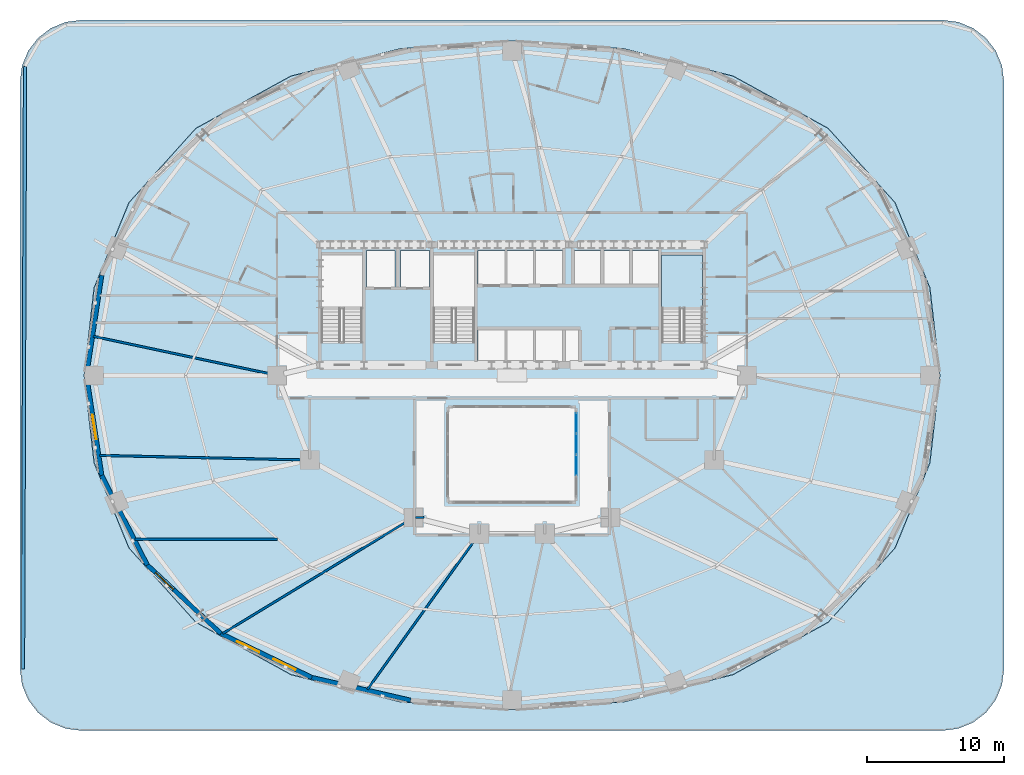
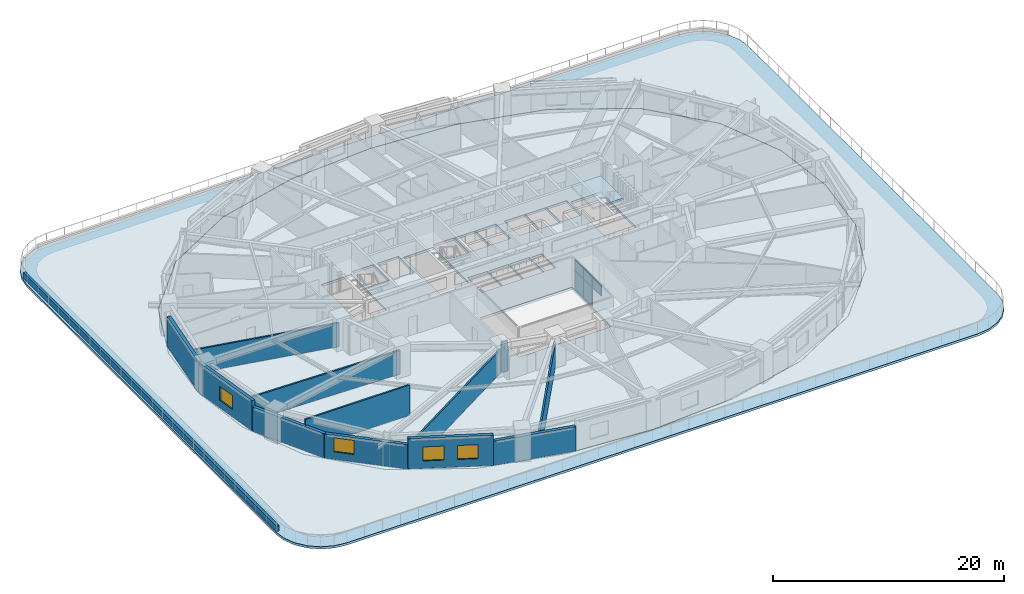
# One storey, part 7 of 18: 13 walls, 5 plates, 4 windows, 3 slabs, 4 openings, 2 elements without a shape of their own.
"""IFC4 building model written with IfcOpenShell, lengths in metres."""

from ifc_helpers import new_model, si_unit, direction, frame, frame_2d, origin, origin_2d, place, context, subcontext, project, spatial, polyline, rectangle, outline, extrude, material, layer, layer_set, type_object, element, fill, aggregate, save


model = new_model("IFC4")

# Units and contexts
model_context = context("Model", 3, precision=1e-05, world=origin(), true_north=direction((0.0, 1.0)))
body_context = subcontext(model_context, "Body", "Model", "MODEL_VIEW")
ifc_project = project(units=[si_unit("LENGTHUNIT", "METRE"), si_unit("AREAUNIT", "SQUARE_METRE"), si_unit("VOLUMEUNIT", "CUBIC_METRE"), si_unit("PLANEANGLEUNIT", "RADIAN"), si_unit("MASSUNIT", "GRAM", prefix="KILO")], contexts=[model_context])

# Site, building, storey
site_placement = place(None, origin())
site = spatial("IfcSite", under=ifc_project, at=site_placement, CompositionType="ELEMENT")
building_placement = place(site_placement, origin())
building = spatial("IfcBuilding", under=site, at=building_placement, Name="Haldorwick Loom Tower", CompositionType="ELEMENT")
storey_placement = place(building_placement, frame((0.0, 0.0, 24.0)))
storey = spatial("IfcBuildingStorey", under=building, at=storey_placement, Name="L05", CompositionType="ELEMENT", Elevation=24.0)

# Curtain wall, plates
ifc_material_1 = material(Name="Thermally Broken Anodized Aluminium Curtain Wall Framing", Category="aluminium")
curtain_wall_type = type_object("IfcCurtainWallType", Name="ARC-CW-03", PredefinedType="NOTDEFINED", material=ifc_material_1)
curtain_wall_placement = place(storey_placement, origin())
curtain_wall = element("IfcCurtainWall", 1, at=curtain_wall_placement, inside=storey, type_object=curtain_wall_type, Name="L05 Atrium Glazed Screen E", PredefinedType="NOTDEFINED")
ifc_material_2 = material(Name="Triple-Glazed Low-E Argon Insulated Glazing Unit", Category="glass")
ifc_layer_1 = layer(ifc_material_2, 0.04296875, Name="Triple-Glazed Low-E Argon Insulated Glazing Unit", Category="glass")
ifc_layer_set_1 = layer_set([ifc_layer_1], Name="Triple-Glazed Low-E Argon Insulated Glazing Unit")
plate_type = type_object("IfcPlateType", Name="ARC-CWP-03", PredefinedType="CURTAIN_PANEL", material=ifc_layer_set_1)
plate_1_placement = place(storey_placement, frame((40.699951171875, 22.508544921875, 0.066162109375), z_axis=(0.0, 0.0, 1.0), x_axis=(0.0, -1.0, 0.0)))
plate_1 = element("IfcPlate", 2, at=plate_1_placement, type_object=plate_type, Name="CW-03 panel 1.1", PredefinedType="CURTAIN_PANEL", context=body_context, shape_type="SweptSolid", body=[
    extrude(rectangle(XDim=1.450927734375, YDim=0.04296875, at=origin_2d()), origin(), (0.0, 0.0, 1.0), 1.90087890625),
])
plate_2_placement = place(storey_placement, frame((40.699951171875, 22.508544921875, 2.03271484375), z_axis=(0.0, 0.0, 1.0), x_axis=(0.0, -1.0, 0.0)))
plate_2 = element("IfcPlate", 3, at=plate_2_placement, type_object=plate_type, Name="CW-03 panel 1.2", PredefinedType="CURTAIN_PANEL", context=body_context, shape_type="SweptSolid", body=[
    extrude(rectangle(XDim=1.450927734375, YDim=0.04296875, at=origin_2d()), origin(), (0.0, 0.0, 1.0), 1.111083984375),
])
plate_3_placement = place(storey_placement, frame((40.699951171875, 20.97509765625, 0.066162109375), z_axis=(0.0, 0.0, 1.0), x_axis=(0.0, -1.0, 0.0)))
plate_3 = element("IfcPlate", 4, at=plate_3_placement, type_object=plate_type, Name="CW-03 panel 2.1", PredefinedType="CURTAIN_PANEL", context=body_context, shape_type="SweptSolid", body=[
    extrude(rectangle(XDim=1.48388671875, YDim=0.04296875, at=origin_2d()), origin(), (0.0, 0.0, 1.0), 1.90087890625),
])
plate_4_placement = place(storey_placement, frame((40.699951171875, 20.97509765625, 2.03271484375), z_axis=(0.0, 0.0, 1.0), x_axis=(0.0, -1.0, 0.0)))
plate_4 = element("IfcPlate", 5, at=plate_4_placement, type_object=plate_type, Name="CW-03 panel 2.2", PredefinedType="CURTAIN_PANEL", context=body_context, shape_type="SweptSolid", body=[
    extrude(rectangle(XDim=1.48388671875, YDim=0.04296875, at=origin_2d()), origin(), (0.0, 0.0, 1.0), 1.111083984375),
])
plate_5_placement = place(storey_placement, frame((40.699951171875, 19.425048828125, 2.03271484375), z_axis=(0.0, 0.0, 1.0), x_axis=(0.0, -1.0, 0.0)))
plate_5 = element("IfcPlate", 6, at=plate_5_placement, type_object=plate_type, Name="CW-03 panel 3.2", PredefinedType="CURTAIN_PANEL", context=body_context, shape_type="SweptSolid", body=[
    extrude(rectangle(XDim=1.48388671875, YDim=0.04296875, at=origin_2d()), origin(), (0.0, 0.0, 1.0), 1.111083984375),
])
aggregate(curtain_wall, [plate_1, plate_2, plate_3, plate_4, plate_5])

# Stair, slab
ifc_material_3 = material(Name="Concrete C40 (40 MPa)", Category="concrete")
stair_type = type_object("IfcStairType", Name="STR-STR-CORE", PredefinedType="HALF_TURN_STAIR", material=ifc_material_3)
stair_placement = place(storey_placement, origin())
stair = element("IfcStair", 7, at=stair_placement, inside=storey, type_object=stair_type, Name="L05 Exit Stair ST-02", PredefinedType="HALF_TURN_STAIR")
ifc_layer_2 = layer(ifc_material_3, 0.199951171875, Name="Concrete C40 (40 MPa)", Category="concrete")
ifc_layer_set_2 = layer_set([ifc_layer_2], Name="Concrete C40 (40 MPa)")
slab_type_1 = type_object("IfcSlabType", Name="STR-SLB-LAND200", PredefinedType="LANDING", material=ifc_layer_set_2)
slab_1_placement = place(storey_placement, frame((0.0, 0.0, 1.52490234375)))
slab_1 = element("IfcSlab", 8, at=slab_1_placement, type_object=slab_type_1, Name="ST-02 landing 1", PredefinedType="LANDING", context=body_context, shape_type="SweptSolid", body=[
    extrude(outline(polyline([(49.949951171875, 30.919921875), (49.949951171875, 34.800048828125), (46.949951171875, 34.800048828125), (46.949951171875, 30.919921875), (49.949951171875, 30.919921875)])), origin(), (0.0, 0.0, 1.0), 0.2001953125),
])
aggregate(stair, [slab_1])

# Slabs
ifc_layer_3 = layer(ifc_material_3, 0.239990234375, Name="Concrete C40 (40 MPa)", Category="concrete")
ifc_layer_set_3 = layer_set([ifc_layer_3], Name="Concrete C40 (40 MPa)")
slab_type_2 = type_object("IfcSlabType", Name="STR-SLB-RES240", PredefinedType="FLOOR", material=ifc_layer_set_3)
slab_2_placement = place(storey_placement, frame((0.0, 0.0, -0.239990234375)))
element("IfcSlab", 9, at=slab_2_placement, inside=storey, type_object=slab_type_2, Name="L05 Residential Structural Floor Slab", PredefinedType="FLOOR", context=body_context, shape_type="SweptSolid", body=[
    extrude(outline(polyline([(59.125244140625, 7.933349609375), (64.017578125, 13.362548828125), (66.569580078125, 19.6005859375), (67.2958984375, 26.0), (66.569580078125, 32.3994140625), (64.017578125, 38.637451171875), (59.125244140625, 44.066650390625), (52.176025390625, 47.888916015625), (44.191162109375, 49.882568359375), (36.0, 50.449951171875), (27.808837890625, 49.882568359375), (19.823974609375, 47.888916015625), (12.874755859375, 44.066650390625), (7.982421875, 38.637451171875), (5.430419921875, 32.3994140625), (4.7041015625, 26.0), (5.430419921875, 19.6005859375), (7.982421875, 13.362548828125), (12.874755859375, 7.933349609375), (19.823974609375, 4.111083984375), (27.808837890625, 2.117431640625), (36.0, 1.550048828125), (44.191162109375, 2.117431640625), (52.176025390625, 4.111083984375), (59.125244140625, 7.933349609375)]), holes=[polyline([(31.39990234375, 23.60009765625), (40.60009765625, 23.60009765625), (40.60009765625, 16.800048828125), (31.39990234375, 16.800048828125), (31.39990234375, 23.60009765625)]), polyline([(33.5, 26.85009765625), (33.5, 29.35009765625), (35.5, 29.35009765625), (35.5, 26.85009765625), (33.5, 26.85009765625)]), polyline([(22.050048828125, 28.39990234375), (22.050048828125, 34.800048828125), (25.050048828125, 34.800048828125), (25.050048828125, 28.639892578125), (23.6201171875, 28.639892578125), (23.6201171875, 28.39990234375), (22.050048828125, 28.39990234375)]), polyline([(30.25, 28.39990234375), (30.25, 34.800048828125), (33.25, 34.800048828125), (33.25, 28.639892578125), (31.820068359375, 28.639892578125), (31.820068359375, 28.39990234375), (30.25, 28.39990234375)]), polyline([(25.35009765625, 32.449951171875), (25.35009765625, 35.14990234375), (27.449951171875, 35.14990234375), (27.449951171875, 32.449951171875), (25.35009765625, 32.449951171875)]), polyline([(27.85009765625, 32.449951171875), (27.85009765625, 35.14990234375), (29.949951171875, 35.14990234375), (29.949951171875, 32.449951171875), (27.85009765625, 32.449951171875)]), polyline([(33.5, 32.64990234375), (33.5, 35.14990234375), (35.5, 35.14990234375), (35.5, 32.64990234375), (33.5, 32.64990234375)]), polyline([(35.60009765625, 32.64990234375), (35.60009765625, 35.14990234375), (37.60009765625, 35.14990234375), (37.60009765625, 32.64990234375), (35.60009765625, 32.64990234375)]), polyline([(35.60009765625, 26.85009765625), (35.60009765625, 29.35009765625), (37.60009765625, 29.35009765625), (37.60009765625, 26.85009765625), (35.60009765625, 26.85009765625)]), polyline([(37.699951171875, 26.85009765625), (37.699951171875, 29.35009765625), (39.699951171875, 29.35009765625), (39.699951171875, 26.85009765625), (37.699951171875, 26.85009765625)]), polyline([(39.89990234375, 26.89990234375), (39.89990234375, 29.300048828125), (40.89990234375, 29.300048828125), (40.89990234375, 26.89990234375), (39.89990234375, 26.89990234375)]), polyline([(46.949951171875, 28.39990234375), (46.949951171875, 34.800048828125), (49.949951171875, 34.800048828125), (49.949951171875, 28.639892578125), (48.52001953125, 28.639892578125), (48.52001953125, 28.39990234375), (46.949951171875, 28.39990234375)]), polyline([(37.699951171875, 32.64990234375), (37.699951171875, 35.14990234375), (39.699951171875, 35.14990234375), (39.699951171875, 32.64990234375), (37.699951171875, 32.64990234375)]), polyline([(40.550048828125, 32.64990234375), (40.550048828125, 35.14990234375), (42.550048828125, 35.14990234375), (42.550048828125, 32.64990234375), (40.550048828125, 32.64990234375)]), polyline([(42.64990234375, 32.64990234375), (42.64990234375, 35.14990234375), (44.64990234375, 35.14990234375), (44.64990234375, 32.64990234375), (42.64990234375, 32.64990234375)]), polyline([(44.75, 32.64990234375), (44.75, 35.14990234375), (46.75, 35.14990234375), (46.75, 32.64990234375), (44.75, 32.64990234375)])]), origin(), (0.0, 0.0, 1.0), 0.239990234375),
])
ifc_layer_4 = layer(ifc_material_3, 0.280029296875, Name="Concrete C40 (40 MPa)", Category="concrete")
ifc_layer_set_4 = layer_set([ifc_layer_4], Name="Concrete C40 (40 MPa)")
slab_type_3 = type_object("IfcSlabType", Name="STR-SLB-TERR280", PredefinedType="FLOOR", material=ifc_layer_set_4)
slab_3_placement = place(storey_placement, frame((0.0, 0.0, -0.239990234375)))
element("IfcSlab", 10, at=slab_3_placement, inside=storey, type_object=slab_type_3, Name="L05 Planted Setback Terrace Slab 1", PredefinedType="FLOOR", context=body_context, shape_type="SweptSolid", body=[
    extrude(outline(polyline([(67.498779296875, 0.0), (67.501220703125, 0.000244140625), (68.662109375, 0.153076171875), (68.663818359375, 0.1533203125), (68.66552734375, 0.15380859375), (68.6669921875, 0.154296875), (69.74755859375, 0.601806640625), (69.7490234375, 0.6025390625), (69.750732421875, 0.603515625), (69.752197265625, 0.6044921875), (70.679931640625, 1.31640625), (70.68115234375, 1.3173828125), (70.6826171875, 1.31884765625), (70.68359375, 1.320068359375), (71.3955078125, 2.247802734375), (71.396484375, 2.249267578125), (71.3974609375, 2.2509765625), (71.398193359375, 2.25244140625), (71.845703125, 3.3330078125), (71.84619140625, 3.33447265625), (71.8466796875, 3.336181640625), (71.846923828125, 3.337890625), (71.999755859375, 4.498779296875), (72.0, 4.501220703125), (72.0, 47.498779296875), (71.999755859375, 47.501220703125), (71.846923828125, 48.662109375), (71.8466796875, 48.663818359375), (71.84619140625, 48.66552734375), (71.845703125, 48.6669921875), (71.398193359375, 49.74755859375), (71.3974609375, 49.7490234375), (71.396484375, 49.750732421875), (71.3955078125, 49.752197265625), (70.68359375, 50.679931640625), (70.6826171875, 50.68115234375), (70.68115234375, 50.6826171875), (70.679931640625, 50.68359375), (69.752197265625, 51.3955078125), (69.750732421875, 51.396484375), (69.7490234375, 51.3974609375), (69.74755859375, 51.398193359375), (68.6669921875, 51.845703125), (68.66552734375, 51.84619140625), (68.663818359375, 51.8466796875), (68.662109375, 51.846923828125), (67.501220703125, 51.999755859375), (67.498779296875, 52.0), (4.501220703125, 52.0), (4.498779296875, 51.999755859375), (3.337890625, 51.846923828125), (3.336181640625, 51.8466796875), (3.33447265625, 51.84619140625), (3.3330078125, 51.845703125), (2.25244140625, 51.398193359375), (2.2509765625, 51.3974609375), (2.249267578125, 51.396484375), (2.247802734375, 51.3955078125), (1.320068359375, 50.68359375), (1.31884765625, 50.6826171875), (1.3173828125, 50.68115234375), (1.31640625, 50.679931640625), (0.6044921875, 49.752197265625), (0.603515625, 49.750732421875), (0.6025390625, 49.7490234375), (0.601806640625, 49.74755859375), (0.154296875, 48.6669921875), (0.15380859375, 48.66552734375), (0.1533203125, 48.663818359375), (0.153076171875, 48.662109375), (0.000244140625, 47.501220703125), (0.0, 47.498779296875), (0.0, 4.501220703125), (0.000244140625, 4.498779296875), (0.153076171875, 3.337890625), (0.1533203125, 3.336181640625), (0.15380859375, 3.33447265625), (0.154296875, 3.3330078125), (0.601806640625, 2.25244140625), (0.6025390625, 2.2509765625), (0.603515625, 2.249267578125), (0.6044921875, 2.247802734375), (1.31640625, 1.320068359375), (1.3173828125, 1.31884765625), (1.31884765625, 1.3173828125), (1.320068359375, 1.31640625), (2.247802734375, 0.6044921875), (2.249267578125, 0.603515625), (2.2509765625, 0.6025390625), (2.25244140625, 0.601806640625), (3.3330078125, 0.154296875), (3.33447265625, 0.15380859375), (3.336181640625, 0.1533203125), (3.337890625, 0.153076171875), (4.498779296875, 0.000244140625), (4.501220703125, 0.0), (67.498779296875, 0.0)]), holes=[polyline([(67.310791015625, 25.99853515625), (67.310791015625, 25.998046875), (66.58447265625, 19.59912109375), (66.58447265625, 19.598876953125), (66.58447265625, 19.59814453125), (66.584228515625, 19.59716796875), (66.583984375, 19.5966796875), (66.583740234375, 19.595947265625), (66.58349609375, 19.59521484375), (66.58349609375, 19.5947265625), (64.03173828125, 13.35693359375), (64.031494140625, 13.356689453125), (64.03125, 13.35595703125), (64.03076171875, 13.355224609375), (64.030517578125, 13.35498046875), (64.0302734375, 13.354248046875), (64.02978515625, 13.353759765625), (64.029296875, 13.35302734375), (64.029052734375, 13.3525390625), (64.02880859375, 13.352294921875), (59.136474609375, 7.923583984375), (59.135986328125, 7.923095703125), (59.135498046875, 7.922607421875), (59.134765625, 7.921875), (59.13427734375, 7.92138671875), (59.13330078125, 7.9208984375), (59.1328125, 7.92041015625), (59.132080078125, 7.920166015625), (52.183349609375, 4.09814453125), (52.18310546875, 4.097900390625), (52.1826171875, 4.09765625), (52.181640625, 4.097412109375), (52.181396484375, 4.09716796875), (52.180419921875, 4.096923828125), (52.1796875, 4.0966796875), (52.179443359375, 4.0966796875), (44.19482421875, 2.10302734375), (44.194580078125, 2.102783203125), (44.19384765625, 2.102783203125), (44.193115234375, 2.1025390625), (44.1923828125, 2.1025390625), (44.19189453125, 2.1025390625), (36.00146484375, 1.53515625), (36.000732421875, 1.534912109375), (35.999267578125, 1.534912109375), (35.99853515625, 1.53515625), (27.80810546875, 2.1025390625), (27.8076171875, 2.1025390625), (27.806884765625, 2.1025390625), (27.80615234375, 2.102783203125), (27.805419921875, 2.102783203125), (27.80517578125, 2.10302734375), (19.820556640625, 4.0966796875), (19.8203125, 4.0966796875), (19.819580078125, 4.096923828125), (19.818603515625, 4.09716796875), (19.818359375, 4.097412109375), (19.8173828125, 4.09765625), (19.81689453125, 4.097900390625), (19.816650390625, 4.09814453125), (12.867919921875, 7.920166015625), (12.8671875, 7.92041015625), (12.86669921875, 7.9208984375), (12.86572265625, 7.92138671875), (12.865234375, 7.921875), (12.864501953125, 7.922607421875), (12.864013671875, 7.923095703125), (12.863525390625, 7.923583984375), (7.97119140625, 13.352294921875), (7.970947265625, 13.3525390625), (7.970703125, 13.35302734375), (7.97021484375, 13.353759765625), (7.9697265625, 13.354248046875), (7.969482421875, 13.35498046875), (7.96923828125, 13.355224609375), (7.96875, 13.35595703125), (7.968505859375, 13.356689453125), (7.96826171875, 13.35693359375), (5.41650390625, 19.5947265625), (5.41650390625, 19.59521484375), (5.416259765625, 19.595947265625), (5.416015625, 19.5966796875), (5.415771484375, 19.59716796875), (5.41552734375, 19.59814453125), (5.41552734375, 19.598876953125), (5.41552734375, 19.59912109375), (4.689208984375, 25.998046875), (4.689208984375, 25.99853515625), (4.68896484375, 25.99951171875), (4.68896484375, 26.00048828125), (4.689208984375, 26.00146484375), (4.689208984375, 26.001953125), (5.41552734375, 32.40087890625), (5.41552734375, 32.401123046875), (5.41552734375, 32.40185546875), (5.415771484375, 32.40283203125), (5.416015625, 32.4033203125), (5.416259765625, 32.404052734375), (5.41650390625, 32.40478515625), (5.41650390625, 32.4052734375), (7.96826171875, 38.64306640625), (7.968505859375, 38.643310546875), (7.96875, 38.64404296875), (7.96923828125, 38.644775390625), (7.969482421875, 38.64501953125), (7.9697265625, 38.645751953125), (7.97021484375, 38.646240234375), (7.970703125, 38.64697265625), (7.970947265625, 38.6474609375), (7.97119140625, 38.647705078125), (12.863525390625, 44.076416015625), (12.864013671875, 44.076904296875), (12.864501953125, 44.077392578125), (12.865234375, 44.078125), (12.86572265625, 44.07861328125), (12.86669921875, 44.0791015625), (12.8671875, 44.07958984375), (12.867919921875, 44.079833984375), (19.816650390625, 47.90185546875), (19.81689453125, 47.902099609375), (19.8173828125, 47.90234375), (19.818359375, 47.902587890625), (19.818603515625, 47.90283203125), (19.819580078125, 47.903076171875), (19.8203125, 47.9033203125), (19.820556640625, 47.9033203125), (27.80517578125, 49.89697265625), (27.805419921875, 49.897216796875), (27.80615234375, 49.897216796875), (27.806884765625, 49.8974609375), (27.8076171875, 49.8974609375), (27.80810546875, 49.8974609375), (35.99853515625, 50.46484375), (35.999267578125, 50.465087890625), (36.000732421875, 50.465087890625), (36.00146484375, 50.46484375), (44.19189453125, 49.8974609375), (44.1923828125, 49.8974609375), (44.193115234375, 49.8974609375), (44.19384765625, 49.897216796875), (44.194580078125, 49.897216796875), (44.19482421875, 49.89697265625), (52.179443359375, 47.9033203125), (52.1796875, 47.9033203125), (52.180419921875, 47.903076171875), (52.181396484375, 47.90283203125), (52.181640625, 47.902587890625), (52.1826171875, 47.90234375), (52.18310546875, 47.902099609375), (52.183349609375, 47.90185546875), (59.132080078125, 44.079833984375), (59.1328125, 44.07958984375), (59.13330078125, 44.0791015625), (59.13427734375, 44.07861328125), (59.134765625, 44.078125), (59.135498046875, 44.077392578125), (59.135986328125, 44.076904296875), (59.136474609375, 44.076416015625), (64.02880859375, 38.647705078125), (64.029052734375, 38.6474609375), (64.029296875, 38.64697265625), (64.02978515625, 38.646240234375), (64.0302734375, 38.645751953125), (64.030517578125, 38.64501953125), (64.03076171875, 38.644775390625), (64.03125, 38.64404296875), (64.031494140625, 38.643310546875), (64.03173828125, 38.64306640625), (66.58349609375, 32.4052734375), (66.58349609375, 32.40478515625), (66.583740234375, 32.404052734375), (66.583984375, 32.4033203125), (66.584228515625, 32.40283203125), (66.58447265625, 32.40185546875), (66.58447265625, 32.401123046875), (66.58447265625, 32.40087890625), (67.310791015625, 26.001953125), (67.310791015625, 26.00146484375), (67.31103515625, 26.00048828125), (67.31103515625, 25.99951171875), (67.310791015625, 25.99853515625)])]), origin(), (0.0, 0.0, 1.0), 0.239990234375),
])

# Wall
ifc_material_4 = material(Name="Pressed Clay Face Brick and Insulated Masonry Backup Assembly", Category="masonry")
ifc_layer_5 = layer(ifc_material_4, 0.320068359375, Name="Pressed Clay Face Brick and Insulated Masonry Backup Assembly", Category="masonry")
ifc_layer_set_5 = layer_set([ifc_layer_5], Name="Pressed Clay Face Brick and Insulated Masonry Backup Assembly")
wall_type_1 = type_object("IfcWallType", Name="ARC-WL-EXT320", PredefinedType="STANDARD", material=ifc_layer_set_5)
wall_1_placement = place(storey_placement, frame((5.978271484375, 33.320556640625, 0.0), z_axis=(0.0, 0.0, 1.0), x_axis=(-0.150476322528, -0.988613613278, 0.0)))
element("IfcWall", 11, at=wall_1_placement, inside=storey, type_object=wall_type_1, Name="L05 Brick Pier and Spandrel Wall 12", PredefinedType="STANDARD", context=body_context, shape_type="SweptSolid", body=[
    extrude(rectangle(XDim=7.40478515625, YDim=0.320068359375, at=frame_2d((3.702392578125, 0.0))), origin(), (0.0, 0.0, 1.0), 3.2099609375),
])

# Wall, opening, window
wall_2_placement = place(storey_placement, frame((4.864013671875, 26.0, 0.0), z_axis=(0.0, 0.0, 1.0), x_axis=(0.150476322528, -0.988613613278, 0.0)))
wall_2 = element("IfcWall", 12, at=wall_2_placement, inside=storey, type_object=wall_type_1, Name="L05 Brick Pier and Spandrel Wall 13", PredefinedType="STANDARD", context=body_context, shape_type="SweptSolid", body=[
    extrude(rectangle(XDim=7.40478515625, YDim=0.320068359375, at=frame_2d((3.702392578125, 0.0))), origin(), (0.0, 0.0, 1.0), 3.2099609375),
])
opening_1_placement = place(wall_2_placement, frame((2.922607421875, 0.0, 0.800048828125)))
opening_1 = element("IfcOpeningElement", 13, at=opening_1_placement, cuts=wall_2, Name="Opening W-01", PredefinedType="OPENING", context=body_context, shape_type="SweptSolid", body=[
    extrude(rectangle(XDim=1.800048828125, YDim=1.47998046875, at=frame_2d((0.89990234375, 0.739990234375))), frame((0.0, 0.169921875, 0.0), z_axis=(0.0, -1.0, 0.0), x_axis=(1.0, 0.0, 0.0)), (0.0, 0.0, 1.0), 0.340087890625),
])
window_type = type_object("IfcWindowType", Name="ARC-WIN-W180", PartitioningType="SINGLE_PANEL", PredefinedType="WINDOW", material=ifc_material_2)
window_1_placement = place(opening_1_placement, origin())
window_1 = element("IfcWindow", 14, at=window_1_placement, inside=storey, type_object=window_type, Name="L05 Deep-Set Zone 7A Window 13", OverallHeight=1.47998046875, OverallWidth=1.800048828125, PartitioningType="SINGLE_PANEL", PredefinedType="WINDOW", context=body_context, shape_type="SweptSolid", body=[
    extrude(rectangle(XDim=1.800048828125, YDim=1.47998046875, at=frame_2d((0.89990234375, 0.739990234375))), frame((0.0, 0.030029296875, 0.0), z_axis=(0.0, -1.0, 0.0), x_axis=(1.0, 0.0, 0.0)), (0.0, 0.0, 1.0), 0.06005859375),
])
fill(opening_1, window_1)

# Wall
wall_3_placement = place(storey_placement, frame((5.978271484375, 18.679443359375, 0.0), z_axis=(0.0, 0.0, 1.0), x_axis=(0.452950855928, -0.891535485617, 0.0)))
element("IfcWall", 15, at=wall_3_placement, inside=storey, type_object=wall_type_1, Name="L05 Brick Pier and Spandrel Wall 14", PredefinedType="STANDARD", context=body_context, shape_type="SweptSolid", body=[
    extrude(rectangle(XDim=7.3583984375, YDim=0.320068359375, at=frame_2d((3.67919921875, 0.0))), origin(), (0.0, 0.0, 1.0), 2.569091796875),
])

# Wall, opening, window
wall_4_placement = place(storey_placement, frame((9.311279296875, 12.119140625, 0.0), z_axis=(0.0, 0.0, 1.0), x_axis=(0.73176101237, -0.681561311091, 0.0)))
wall_4 = element("IfcWall", 16, at=wall_4_placement, inside=storey, type_object=wall_type_1, Name="L05 Brick Pier and Spandrel Wall 15", PredefinedType="STANDARD", context=body_context, shape_type="SweptSolid", body=[
    extrude(rectangle(XDim=7.3583984375, YDim=0.320068359375, at=frame_2d((3.67919921875, 0.0))), origin(), (0.0, 0.0, 1.0), 2.569091796875),
])
opening_2_placement = place(wall_4_placement, frame((0.82177734375, 0.0, 0.800048828125)))
opening_2 = element("IfcOpeningElement", 17, at=opening_2_placement, cuts=wall_4, Name="Opening W-01", PredefinedType="OPENING", context=body_context, shape_type="SweptSolid", body=[
    extrude(rectangle(XDim=1.800048828125, YDim=1.47998046875, at=frame_2d((0.89990234375, 0.739990234375))), frame((0.0, 0.169921875, 0.0), z_axis=(0.0, -1.0, 0.0), x_axis=(1.0, 0.0, 0.0)), (0.0, 0.0, 1.0), 0.340087890625),
])
window_2_placement = place(opening_2_placement, origin())
window_2 = element("IfcWindow", 18, at=window_2_placement, inside=storey, type_object=window_type, Name="L05 Deep-Set Zone 7A Window 15", OverallHeight=1.47998046875, OverallWidth=1.800048828125, PartitioningType="SINGLE_PANEL", PredefinedType="WINDOW", context=body_context, shape_type="SweptSolid", body=[
    extrude(rectangle(XDim=1.800048828125, YDim=1.47998046875, at=frame_2d((0.89990234375, 0.739990234375))), frame((0.0, 0.030029296875, 0.0), z_axis=(0.0, -1.0, 0.0), x_axis=(1.0, 0.0, 0.0)), (0.0, 0.0, 1.0), 0.06005859375),
])
fill(opening_2, window_2)

# Wall, openings, windows
wall_5_placement = place(storey_placement, frame((14.69580078125, 7.10400390625, 0.0), z_axis=(0.0, 0.0, 1.0), x_axis=(0.900295710431, -0.435278800057, 0.0)))
wall_5 = element("IfcWall", 19, at=wall_5_placement, inside=storey, type_object=wall_type_1, Name="L05 Brick Pier and Spandrel Wall 16", PredefinedType="STANDARD", context=body_context, shape_type="SweptSolid", body=[
    extrude(rectangle(XDim=7.39697265625, YDim=0.320068359375, at=frame_2d((3.698486328125, 0.0))), origin(), (0.0, 0.0, 1.0), 3.2099609375),
])
opening_3_placement = place(wall_5_placement, frame((1.319091796875, 0.0, 0.800048828125)))
opening_3 = element("IfcOpeningElement", 20, at=opening_3_placement, cuts=wall_5, Name="Opening W-01", PredefinedType="OPENING", context=body_context, shape_type="SweptSolid", body=[
    extrude(rectangle(XDim=1.800048828125, YDim=1.47998046875, at=frame_2d((0.89990234375, 0.739990234375))), frame((0.0, 0.169921875, 0.0), z_axis=(0.0, -1.0, 0.0), x_axis=(1.0, 0.0, 0.0)), (0.0, 0.0, 1.0), 0.340087890625),
])
opening_4_placement = place(wall_5_placement, frame((4.27783203125, 0.0, 0.800048828125)))
opening_4 = element("IfcOpeningElement", 21, at=opening_4_placement, cuts=wall_5, Name="Opening W-01", PredefinedType="OPENING", context=body_context, shape_type="SweptSolid", body=[
    extrude(rectangle(XDim=1.800048828125, YDim=1.47998046875, at=frame_2d((0.89990234375, 0.739990234375))), frame((0.0, 0.169921875, 0.0), z_axis=(0.0, -1.0, 0.0), x_axis=(1.0, 0.0, 0.0)), (0.0, 0.0, 1.0), 0.340087890625),
])
window_3_placement = place(opening_3_placement, origin())
window_3 = element("IfcWindow", 22, at=window_3_placement, inside=storey, type_object=window_type, Name="L05 Deep-Set Zone 7A Window 16", OverallHeight=1.47998046875, OverallWidth=1.800048828125, PartitioningType="SINGLE_PANEL", PredefinedType="WINDOW", context=body_context, shape_type="SweptSolid", body=[
    extrude(rectangle(XDim=1.800048828125, YDim=1.47998046875, at=frame_2d((0.89990234375, 0.739990234375))), frame((0.0, 0.030029296875, 0.0), z_axis=(0.0, -1.0, 0.0), x_axis=(1.0, 0.0, 0.0)), (0.0, 0.0, 1.0), 0.06005859375),
])
fill(opening_3, window_3)
window_4_placement = place(opening_4_placement, origin())
window_4 = element("IfcWindow", 23, at=window_4_placement, inside=storey, type_object=window_type, Name="L05 Deep-Set Zone 7A Window 16", OverallHeight=1.47998046875, OverallWidth=1.800048828125, PartitioningType="SINGLE_PANEL", PredefinedType="WINDOW", context=body_context, shape_type="SweptSolid", body=[
    extrude(rectangle(XDim=1.800048828125, YDim=1.47998046875, at=frame_2d((0.89990234375, 0.739990234375))), frame((0.0, 0.030029296875, 0.0), z_axis=(0.0, -1.0, 0.0), x_axis=(1.0, 0.0, 0.0)), (0.0, 0.0, 1.0), 0.06005859375),
])
fill(opening_4, window_4)

# Walls
wall_6_placement = place(storey_placement, frame((21.355224609375, 3.88427734375, 0.0), z_axis=(0.0, 0.0, 1.0), x_axis=(0.974522412345, -0.224290142088, 0.0)))
element("IfcWall", 24, at=wall_6_placement, inside=storey, type_object=wall_type_1, Name="L05 Brick Pier and Spandrel Wall 17", PredefinedType="STANDARD", context=body_context, shape_type="SweptSolid", body=[
    extrude(rectangle(XDim=7.422607421875, YDim=0.320068359375, at=frame_2d((3.71142578125, 0.0))), origin(), (0.0, 0.0, 1.0), 2.569091796875),
])
ifc_material_5 = material(Name="Fire-Rated Type X Gypsum Stud Assembly EI 60")
ifc_layer_6 = layer(ifc_material_5, 0.159912109375, Name="Fire-Rated Type X Gypsum Stud Assembly EI 60")
ifc_layer_set_6 = layer_set([ifc_layer_6], Name="Fire-Rated Type X Gypsum Stud Assembly EI 60")
wall_type_2 = type_object("IfcWallType", Name="ARC-WL-FIRE160", PredefinedType="PARTITIONING", material=ifc_layer_set_6)
wall_7_placement = place(storey_placement, frame((33.468505859375, 14.217041015625, 0.0), z_axis=(0.0, 0.0, 1.0), x_axis=(-0.583377784299, -0.812200936213, 0.0)))
element("IfcWall", 25, at=wall_7_placement, inside=storey, type_object=wall_type_2, Name="L05 Residential Fire Partition L05-ICR-09", PredefinedType="PARTITIONING", context=body_context, shape_type="SweptSolid", body=[
    extrude(rectangle(XDim=13.792236328125, YDim=0.159912109375, at=frame_2d((6.89599609375, 0.0))), origin(), (0.0, 0.0, 1.0), 2.489990234375),
])
wall_8_placement = place(storey_placement, frame((28.76708984375, 15.579833984375, 0.0), z_axis=(0.0, 0.0, 1.0), x_axis=(-0.854416498156, -0.51958872936, 0.0)))
element("IfcWall", 26, at=wall_8_placement, inside=storey, type_object=wall_type_2, Name="L05 Residential Fire Partition L05-ICR-11", PredefinedType="PARTITIONING", context=body_context, shape_type="SweptSolid", body=[
    extrude(rectangle(XDim=16.3046875, YDim=0.159912109375, at=frame_2d((8.15234375, 0.0))), origin(), (0.0, 0.0, 1.0), 2.489990234375),
])
wall_9_placement = place(storey_placement, frame((21.199951171875, 19.800048828125, 0.0), z_axis=(0.0, 0.0, 1.0), x_axis=(-0.999754156107, 0.022172671155, 0.0)))
element("IfcWall", 27, at=wall_9_placement, inside=storey, type_object=wall_type_2, Name="L05 Residential Fire Partition L05-ICR-13", PredefinedType="PARTITIONING", context=body_context, shape_type="SweptSolid", body=[
    extrude(rectangle(XDim=15.382080078125, YDim=0.159912109375, at=frame_2d((7.69091796875, 0.0))), origin(), (0.0, 0.0, 1.0), 2.489990234375),
])
wall_10_placement = place(storey_placement, frame((18.717041015625, 26.017578125, 0.0), z_axis=(0.0, 0.0, 1.0), x_axis=(-0.978148122559, 0.207909235807, 0.0)))
element("IfcWall", 28, at=wall_10_placement, inside=storey, type_object=wall_type_2, Name="L05 Residential Fire Partition L05-ICR-14", PredefinedType="PARTITIONING", context=body_context, shape_type="SweptSolid", body=[
    extrude(rectangle(XDim=13.65087890625, YDim=0.159912109375, at=frame_2d((6.825439453125, 0.0))), origin(), (0.0, 0.0, 1.0), 2.489990234375),
])
wall_11_placement = place(storey_placement, frame((29.550048828125, 15.60009765625, 0.0), z_axis=(0.0, 0.0, 1.0), x_axis=(-1.0, 0.0, 0.0)))
element("IfcWall", 29, at=wall_11_placement, inside=storey, type_object=wall_type_2, Name="L05 Residential Fire Partition L05-ICA-10", PredefinedType="PARTITIONING", context=body_context, shape_type="SweptSolid", body=[
    extrude(rectangle(XDim=0.616943359375, YDim=0.159912109375, at=frame_2d((0.30859375, 0.0))), origin(), (0.0, 0.0, 1.0), 3.195068359375),
])
wall_12_placement = place(storey_placement, frame((8.428466796875, 14.0, 0.0), z_axis=(0.0, 0.0, 1.0), x_axis=(1.0, 0.0, 0.0)))
element("IfcWall", 30, at=wall_12_placement, inside=storey, type_object=wall_type_2, Name="L05 Residential Fire Partition L05-FLW-19", PredefinedType="PARTITIONING", context=body_context, shape_type="SweptSolid", body=[
    extrude(rectangle(XDim=10.421630859375, YDim=0.159912109375, at=frame_2d((5.2109375, 0.0))), origin(), (0.0, 0.0, 1.0), 3.195068359375),
])
ifc_layer_7 = layer(ifc_material_4, 0.239990234375, Name="Pressed Clay Face Brick and Insulated Masonry Backup Assembly", Category="masonry")
ifc_layer_set_7 = layer_set([ifc_layer_7], Name="Pressed Clay Face Brick and Insulated Masonry Backup Assembly")
wall_type_3 = type_object("IfcWallType", Name="ARC-WL-PARAPET240", PredefinedType="PARAPET", material=ifc_layer_set_7)
wall_13_placement = place(storey_placement, frame((0.219970703125, 4.5146484375, 0.0), z_axis=(0.0, 0.0, 1.0), x_axis=(0.003355369944, 0.99999437073, 0.0)))
element("IfcWall", 31, at=wall_13_placement, inside=storey, type_object=wall_type_3, Name="L05 Terrace Masonry Parapet 1", PredefinedType="PARAPET", context=body_context, shape_type="SweptSolid", body=[
    extrude(rectangle(XDim=44.09326171875, YDim=0.239990234375, at=frame_2d((22.046630859375, 0.0))), origin(), (0.0, 0.0, 1.0), 0.550048828125),
])

save(model, "model.ifc")
